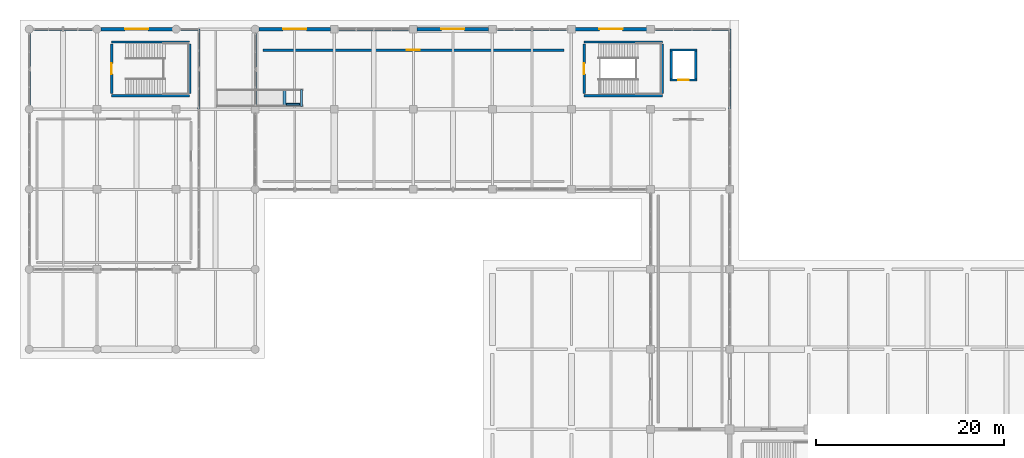
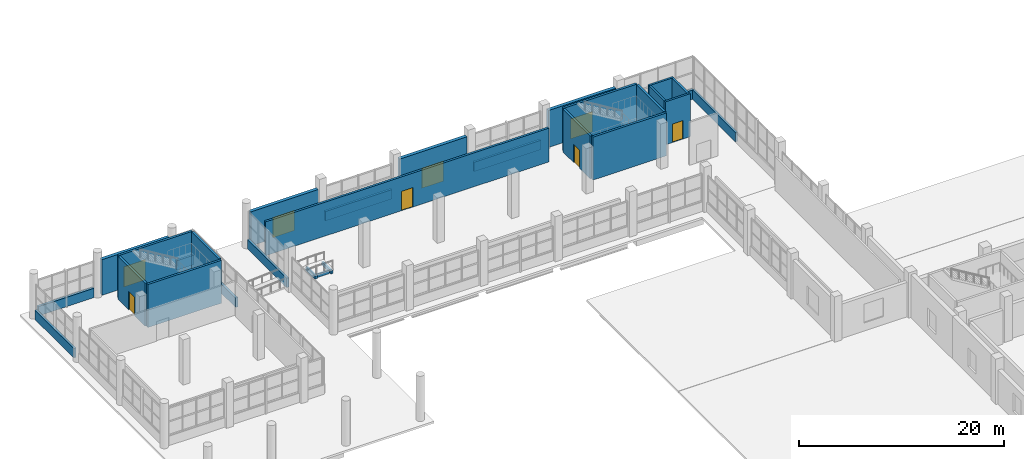
# One storey, part 96 of 107: 29 walls, 8 doors, 8 openings.
"""IFC4 building model written with IfcOpenShell, lengths in metres."""

from ifc_helpers import new_model, si_unit, direction, frame, frame_2d, origin, place, context, subcontext, project, spatial, rectangle, extrude, material, layer, layer_set, type_object, element, fill, save


model = new_model("IFC4")

# Units and contexts
model_context = context("Model", 3, precision=1e-05, world=origin(), true_north=direction((0.0, 1.0)))
body_context = subcontext(model_context, "Body", "Model", "MODEL_VIEW")
ifc_project = project(units=[si_unit("LENGTHUNIT", "METRE"), si_unit("AREAUNIT", "SQUARE_METRE"), si_unit("VOLUMEUNIT", "CUBIC_METRE"), si_unit("PLANEANGLEUNIT", "RADIAN"), si_unit("MASSUNIT", "GRAM", prefix="KILO")], contexts=[model_context])

# Site, building, storey
site_placement = place(None, origin())
site = spatial("IfcSite", under=ifc_project, at=site_placement, CompositionType="ELEMENT")
building_placement = place(site_placement, origin())
building = spatial("IfcBuilding", under=site, at=building_placement, Name="Solvento Point Concert Hall", CompositionType="ELEMENT")
storey_placement = place(building_placement, origin())
storey = spatial("IfcBuildingStorey", under=building, at=storey_placement, Name="L00", CompositionType="ELEMENT", Elevation=0.0)

# Wall, opening, door
ifc_material_1 = material(Name="Acoustic Double-Stud Gypsum Partition")
ifc_layer_1 = layer(ifc_material_1, 0.2451171875)
ifc_layer_set_1 = layer_set([ifc_layer_1], Name="Acoustic Double-Stud Gypsum Partition")
wall_type_1 = type_object("IfcWallType", Name="AcousticPartition_245", PredefinedType="PARTITIONING", material=ifc_layer_set_1)
wall_1_placement = place(storey_placement, frame((24.820068359375, 133.780029296875, 0.0), z_axis=(0.0, 0.0, 1.0), x_axis=(1.0, 0.0, 0.0)))
wall_1 = element("IfcWall", 1, at=wall_1_placement, inside=storey, type_object=wall_type_1, Name="Interior acoustic partition PW-28 L00", PredefinedType="PARTITIONING", context=body_context, shape_type="SweptSolid", body=[
    extrude(rectangle(XDim=31.9599609375, YDim=0.2451171875, at=frame_2d((15.97998046875, 0.0))), origin(), (0.0, 0.0, 1.0), 4.0400390625),
])
opening_1_placement = place(wall_1_placement, frame((15.304931640625, 0.0, 0.0)))
opening_1 = element("IfcOpeningElement", 2, at=opening_1_placement, cuts=wall_1, Name="Opening DR-31", PredefinedType="OPENING", context=body_context, shape_type="SweptSolid", body=[
    extrude(rectangle(XDim=1.35009765625, YDim=2.320068359375, at=frame_2d((0.675048828125, 1.16015625))), frame((0.0, 0.132568359375, 0.0), z_axis=(0.0, -1.0, 0.0), x_axis=(1.0, 0.0, 0.0)), (0.0, 0.0, 1.0), 0.26513671875),
])
ifc_material_2 = material(Name="Brazilian Hardwood Acoustic Door", Category="wood")
door_type_1 = type_object("IfcDoorType", Name="IntDoor_EnsembleSTC55", OperationType="NOTDEFINED", PredefinedType="DOOR", material=ifc_material_2)
door_1_placement = place(opening_1_placement, origin())
door_1 = element("IfcDoor", 3, at=door_1_placement, inside=storey, type_object=door_type_1, Name="Interior door DR-31 L00", OperationType="SINGLE_SWING_LEFT", OverallHeight=2.320068359375, OverallWidth=1.35009765625, PredefinedType="DOOR", context=body_context, shape_type="SweptSolid", body=[
    extrude(rectangle(XDim=1.35009765625, YDim=2.320068359375, at=frame_2d((0.675048828125, 1.16015625))), frame((0.0, 0.02490234375, 0.0), z_axis=(0.0, -1.0, 0.0), x_axis=(1.0, 0.0, 0.0)), (0.0, 0.0, 1.0), 0.050048828125),
])
fill(opening_1, door_1)

# Walls
ifc_material_3 = material(Name="Concrete C40/50", Category="concrete")
ifc_layer_2 = layer(ifc_material_3, 0.300048828125)
ifc_layer_set_2 = layer_set([ifc_layer_2], Name="Concrete C40/50")
wall_type_2 = type_object("IfcWallType", Name="CoreShearWall_300", PredefinedType="SHEAR", material=ifc_layer_set_2)
for number, where, z_axis, x_axis, name in (
    (4, (67.25, 128.949951171875, 0.0), (0.0, 0.0, 1.0), (-1.0, 0.0, 0.0), "Stair core shear wall W-SH1 ST-04 L00"),
    (5, (58.949951171875, 134.64990234375, 0.0), (0.0, 0.0, 1.0), (1.0, 0.0, 0.0), "Stair core shear wall W-SH1 ST-04 L00"),
):
    element("IfcWall", number, at=place(storey_placement, frame(where, z_axis=z_axis, x_axis=x_axis)), inside=storey, type_object=wall_type_2, Name=name, PredefinedType="SHEAR", context=body_context, shape_type="SweptSolid", body=[
        extrude(rectangle(XDim=8.300048828125, YDim=0.25, at=frame_2d((4.14990234375, 0.0))), origin(), (0.0, 0.0, 1.0), 5.1201171875),
    ])

# Wall, opening, door
wall_2_placement = place(storey_placement, frame((58.949951171875, 129.14990234375, 0.0), z_axis=(0.0, 0.0, 1.0), x_axis=(0.0, 1.0, 0.0)))
wall_2 = element("IfcWall", 6, at=wall_2_placement, inside=storey, type_object=wall_type_2, Name="Stair core shear wall W-SH1 ST-04 L00", PredefinedType="SHEAR", context=body_context, shape_type="SweptSolid", body=[
    extrude(rectangle(XDim=5.300048828125, YDim=0.25, at=frame_2d((2.64990234375, 0.0))), origin(), (0.0, 0.0, 1.0), 5.1201171875),
])
opening_2_placement = place(wall_2_placement, frame((2.074951171875, 0.0, 0.0)))
opening_2 = element("IfcOpeningElement", 7, at=opening_2_placement, cuts=wall_2, Name="Opening D-ST1", PredefinedType="OPENING", context=body_context, shape_type="SweptSolid", body=[
    extrude(rectangle(XDim=1.14990234375, YDim=2.179931640625, at=frame_2d((0.574951171875, 1.08984375))), frame((0.0, 0.135009765625, 0.0), z_axis=(0.0, -1.0, 0.0), x_axis=(1.0, 0.0, 0.0)), (0.0, 0.0, 1.0), 0.27001953125),
])
ifc_material_4 = material(Name="Hollow Metal Acoustic Fire Door")
door_type_2 = type_object("IfcDoorType", Name="StairFireDoor_1150", OperationType="NOTDEFINED", PredefinedType="DOOR", material=ifc_material_4)
door_2_placement = place(opening_2_placement, origin())
door_2 = element("IfcDoor", 8, at=door_2_placement, inside=storey, type_object=door_type_2, Name="Protected exit stair door ST-04 L00", OperationType="SINGLE_SWING_RIGHT", OverallHeight=2.179931640625, OverallWidth=1.14990234375, PredefinedType="DOOR", context=body_context, shape_type="SweptSolid", body=[
    extrude(rectangle(XDim=1.14990234375, YDim=2.179931640625, at=frame_2d((0.574951171875, 1.08984375))), frame((0.0, 0.02490234375, 0.0), z_axis=(0.0, -1.0, 0.0), x_axis=(1.0, 0.0, 0.0)), (0.0, 0.0, 1.0), 0.050048828125),
])
fill(opening_2, door_2)

# Walls
wall_3_placement = place(storey_placement, frame((67.25, 134.449951171875, 0.0), z_axis=(0.0, 0.0, 1.0), x_axis=(0.0, -1.0, 0.0)))
element("IfcWall", 9, at=wall_3_placement, inside=storey, type_object=wall_type_2, Name="Stair core shear wall W-SH1 ST-04 L00", PredefinedType="SHEAR", context=body_context, shape_type="SweptSolid", body=[
    extrude(rectangle(XDim=5.300048828125, YDim=0.25, at=frame_2d((2.64990234375, 0.0))), origin(), (0.0, 0.0, 1.0), 5.1201171875),
])
for number, where, z_axis, x_axis, name in (
    (10, (17.050048828125, 128.949951171875, 0.0), (0.0, 0.0, 1.0), (-1.0, 0.0, 0.0), "Stair core shear wall W-SH1 ST-05 L00"),
    (11, (8.75, 134.64990234375, 0.0), (0.0, 0.0, 1.0), (1.0, 0.0, 0.0), "Stair core shear wall W-SH1 ST-05 L00"),
):
    element("IfcWall", number, at=place(storey_placement, frame(where, z_axis=z_axis, x_axis=x_axis)), inside=storey, type_object=wall_type_2, Name=name, PredefinedType="SHEAR", context=body_context, shape_type="SweptSolid", body=[
        extrude(rectangle(XDim=8.300048828125, YDim=0.25, at=frame_2d((4.14990234375, 0.0))), origin(), (0.0, 0.0, 1.0), 5.1201171875),
    ])

# Wall, opening, door
wall_4_placement = place(storey_placement, frame((8.75, 129.14990234375, 0.0), z_axis=(0.0, 0.0, 1.0), x_axis=(0.0, 1.0, 0.0)))
wall_4 = element("IfcWall", 12, at=wall_4_placement, inside=storey, type_object=wall_type_2, Name="Stair core shear wall W-SH1 ST-05 L00", PredefinedType="SHEAR", context=body_context, shape_type="SweptSolid", body=[
    extrude(rectangle(XDim=5.300048828125, YDim=0.25, at=frame_2d((2.64990234375, 0.0))), origin(), (0.0, 0.0, 1.0), 5.1201171875),
])
opening_3_placement = place(wall_4_placement, frame((2.074951171875, 0.0, 0.0)))
opening_3 = element("IfcOpeningElement", 13, at=opening_3_placement, cuts=wall_4, Name="Opening D-ST1", PredefinedType="OPENING", context=body_context, shape_type="SweptSolid", body=[
    extrude(rectangle(XDim=1.14990234375, YDim=2.179931640625, at=frame_2d((0.574951171875, 1.08984375))), frame((0.0, 0.135009765625, 0.0), z_axis=(0.0, -1.0, 0.0), x_axis=(1.0, 0.0, 0.0)), (0.0, 0.0, 1.0), 0.27001953125),
])
door_3_placement = place(opening_3_placement, origin())
door_3 = element("IfcDoor", 14, at=door_3_placement, inside=storey, type_object=door_type_2, Name="Protected exit stair door ST-05 L00", OperationType="SINGLE_SWING_LEFT", OverallHeight=2.179931640625, OverallWidth=1.14990234375, PredefinedType="DOOR", context=body_context, shape_type="SweptSolid", body=[
    extrude(rectangle(XDim=1.14990234375, YDim=2.179931640625, at=frame_2d((0.574951171875, 1.08984375))), frame((0.0, 0.02490234375, 0.0), z_axis=(0.0, -1.0, 0.0), x_axis=(1.0, 0.0, 0.0)), (0.0, 0.0, 1.0), 0.050048828125),
])
fill(opening_3, door_3)

# Wall
wall_5_placement = place(storey_placement, frame((17.050048828125, 134.449951171875, 0.0), z_axis=(0.0, 0.0, 1.0), x_axis=(0.0, -1.0, 0.0)))
element("IfcWall", 15, at=wall_5_placement, inside=storey, type_object=wall_type_2, Name="Stair core shear wall W-SH1 ST-05 L00", PredefinedType="SHEAR", context=body_context, shape_type="SweptSolid", body=[
    extrude(rectangle(XDim=5.300048828125, YDim=0.25, at=frame_2d((2.64990234375, 0.0))), origin(), (0.0, 0.0, 1.0), 5.1201171875),
])

# Wall, opening, door
wall_6_placement = place(storey_placement, frame((68.090087890625, 130.60009765625, 0.0), z_axis=(0.0, 0.0, 1.0), x_axis=(1.0, 0.0, 0.0)))
wall_6 = element("IfcWall", 16, at=wall_6_placement, inside=storey, type_object=wall_type_2, Name="Elevator shaft shear wall W-SH1 LP-03 L00", PredefinedType="SHEAR", context=body_context, shape_type="SweptSolid", body=[
    extrude(rectangle(XDim=2.81982421875, YDim=0.219970703125, at=frame_2d((1.409912109375, 0.0))), origin(), (0.0, 0.0, 1.0), 5.1201171875),
])
opening_4_placement = place(wall_6_placement, frame((0.8349609375, 0.0, 0.0)))
opening_4 = element("IfcOpeningElement", 17, at=opening_4_placement, cuts=wall_6, Name="Opening LD-02", PredefinedType="OPENING", context=body_context, shape_type="SweptSolid", body=[
    extrude(rectangle(XDim=1.14990234375, YDim=2.199951171875, at=frame_2d((0.574951171875, 1.10009765625))), frame((0.0, 0.119873046875, 0.0), z_axis=(0.0, -1.0, 0.0), x_axis=(1.0, 0.0, 0.0)), (0.0, 0.0, 1.0), 0.239990234375),
])
ifc_material_5 = material(Name="Hollow Metal Acoustic Fire Door")
door_type_3 = type_object("IfcDoorType", Name="LiftLandingDoor_Pass", OperationType="SLIDING_TO_LEFT", PredefinedType="DOOR", material=ifc_material_5)
door_4_placement = place(opening_4_placement, origin())
door_4 = element("IfcDoor", 18, at=door_4_placement, inside=storey, type_object=door_type_3, Name="Elevator landing door LP-03 L00", OperationType="SLIDING_TO_LEFT", OverallHeight=2.199951171875, OverallWidth=1.14990234375, PredefinedType="DOOR", context=body_context, shape_type="SweptSolid", body=[
    extrude(rectangle(XDim=1.14990234375, YDim=2.199951171875, at=frame_2d((0.574951171875, 1.10009765625))), frame((0.0, 0.02490234375, 0.0), z_axis=(0.0, -1.0, 0.0), x_axis=(1.0, 0.0, 0.0)), (0.0, 0.0, 1.0), 0.050048828125),
])
fill(opening_4, door_4)

# Walls
wall_7_placement = place(storey_placement, frame((68.090087890625, 133.800048828125, 0.0), z_axis=(0.0, 0.0, 1.0), x_axis=(1.0, 0.0, 0.0)))
element("IfcWall", 19, at=wall_7_placement, inside=storey, type_object=wall_type_2, Name="Elevator shaft shear wall W-SH1 LP-03 L00", PredefinedType="SHEAR", context=body_context, shape_type="SweptSolid", body=[
    extrude(rectangle(XDim=2.81982421875, YDim=0.219970703125, at=frame_2d((1.409912109375, 0.0))), origin(), (0.0, 0.0, 1.0), 5.1201171875),
])
for number, where, z_axis, x_axis, name in (
    (20, (68.199951171875, 130.7099609375, 0.0), (0.0, 0.0, 1.0), (0.0, 1.0, 0.0), "Elevator shaft shear wall W-SH1 LP-03 L00"),
    (21, (70.800048828125, 130.7099609375, 0.0), (0.0, 0.0, 1.0), (0.0, 1.0, 0.0), "Elevator shaft shear wall W-SH1 LP-03 L00"),
):
    element("IfcWall", number, at=place(storey_placement, frame(where, z_axis=z_axis, x_axis=x_axis)), inside=storey, type_object=wall_type_2, Name=name, PredefinedType="SHEAR", context=body_context, shape_type="SweptSolid", body=[
        extrude(rectangle(XDim=2.97998046875, YDim=0.219970703125, at=frame_2d((1.489990234375, 0.0))), origin(), (0.0, 0.0, 1.0), 5.1201171875),
    ])
wall_8_placement = place(storey_placement, frame((27.1201171875, 127.780029296875, 0.0), z_axis=(0.0, 0.0, 1.0), x_axis=(0.0, 1.0, 0.0)))
element("IfcWall", 22, at=wall_8_placement, inside=storey, type_object=wall_type_2, Name="Ramp landing stem wall W-SH1 RMP-H3", PredefinedType="SHEAR", context=body_context, shape_type="SweptSolid", body=[
    extrude(rectangle(XDim=1.840087890625, YDim=0.280029296875, at=frame_2d((0.919921875, 0.0))), origin(), (0.0, 0.0, 1.0), 0.3701171875),
])
wall_9_placement = place(storey_placement, frame((28.909912109375, 127.780029296875, 0.0), z_axis=(0.0, 0.0, 1.0), x_axis=(0.0, 1.0, 0.0)))
element("IfcWall", 23, at=wall_9_placement, inside=storey, type_object=wall_type_2, Name="Ramp landing stem wall W-SH1 RMP-H3", PredefinedType="SHEAR", context=body_context, shape_type="SweptSolid", body=[
    extrude(rectangle(XDim=1.840087890625, YDim=0.219970703125, at=frame_2d((0.919921875, 0.0))), origin(), (0.0, 0.0, 1.0), 0.3701171875),
])
wall_10_placement = place(storey_placement, frame((27.300048828125, 128.02001953125, 0.0), z_axis=(0.0, 0.0, 1.0), x_axis=(1.0, 0.0, 0.0)))
element("IfcWall", 24, at=wall_10_placement, inside=storey, type_object=wall_type_2, Name="Ramp landing stem wall W-SH1 RMP-H3", PredefinedType="SHEAR", context=body_context, shape_type="SweptSolid", body=[
    extrude(rectangle(XDim=1.429931640625, YDim=0.199951171875, at=frame_2d((0.71484375, 0.0))), origin(), (0.0, 0.0, 1.0), 0.3701171875),
])

# Wall, opening, door
ifc_material_6 = material(Name="Concrete C40/50", Category="concrete")
ifc_layer_3 = layer(ifc_material_6, 0.3701171875)
ifc_layer_set_3 = layer_set([ifc_layer_3], Name="Concrete C40/50")
wall_type_3 = type_object("IfcWallType", Name="ExtWall_V4_Reh_370", PredefinedType="SOLIDWALL", material=ifc_layer_set_3)
wall_11_placement = place(storey_placement, frame((24.405029296875, 136.0, 0.0), z_axis=(0.0, 0.0, 1.0), x_axis=(1.0, 0.0, 0.0)))
wall_11 = element("IfcWall", 25, at=wall_11_placement, inside=storey, type_object=wall_type_3, Name="Exterior architectural concrete wall EW-85 L00", PredefinedType="SOLIDWALL", context=body_context, shape_type="SweptSolid", body=[
    extrude(rectangle(XDim=7.60498046875, YDim=0.3701171875, at=frame_2d((3.802490234375, 0.0))), origin(), (0.0, 0.0, 1.0), 4.077880859375),
])
opening_5_placement = place(wall_11_placement, frame((2.577392578125, 0.0, 0.0)))
opening_5 = element("IfcOpeningElement", 26, at=opening_5_placement, cuts=wall_11, Name="Opening ED-06", PredefinedType="OPENING", context=body_context, shape_type="SweptSolid", body=[
    extrude(rectangle(XDim=2.449951171875, YDim=2.419921875, at=frame_2d((1.22509765625, 1.2099609375))), frame((0.0, 0.195068359375, 0.0), z_axis=(0.0, -1.0, 0.0), x_axis=(1.0, 0.0, 0.0)), (0.0, 0.0, 1.0), 0.39013671875),
])
ifc_material_7 = material(Name="Anodized Bronze Aluminium", Category="aluminium")
door_type_4 = type_object("IfcDoorType", Name="PedestrianExitDoor_ED-06", OperationType="DOUBLE_DOOR_SINGLE_SWING", PredefinedType="DOOR", material=ifc_material_7)
door_5_placement = place(opening_5_placement, origin())
door_5 = element("IfcDoor", 27, at=door_5_placement, inside=storey, type_object=door_type_4, Name="Perimeter stair passageway final exit discharge double door ED-06", OperationType="DOUBLE_DOOR_SINGLE_SWING", OverallHeight=2.419921875, OverallWidth=2.449951171875, PredefinedType="DOOR", context=body_context, shape_type="SweptSolid", body=[
    extrude(rectangle(XDim=2.449951171875, YDim=2.419921875, at=frame_2d((1.22509765625, 1.2099609375))), frame((0.0, 0.02490234375, 0.0), z_axis=(0.0, -1.0, 0.0), x_axis=(1.0, 0.0, 0.0)), (0.0, 0.0, 1.0), 0.050048828125),
])
fill(opening_5, door_5)

wall_12_placement = place(storey_placement, frame((41.18994140625, 136.0, 0.0), z_axis=(0.0, 0.0, 1.0), x_axis=(1.0, 0.0, 0.0)))
wall_12 = element("IfcWall", 28, at=wall_12_placement, inside=storey, type_object=wall_type_3, Name="Exterior architectural concrete wall EW-85 L00", PredefinedType="SOLIDWALL", context=body_context, shape_type="SweptSolid", body=[
    extrude(rectangle(XDim=7.6201171875, YDim=0.3701171875, at=frame_2d((3.81005859375, 0.0))), origin(), (0.0, 0.0, 1.0), 4.49609375),
])
opening_6_placement = place(wall_12_placement, frame((2.5849609375, 0.0, 0.0)))
opening_6 = element("IfcOpeningElement", 29, at=opening_6_placement, cuts=wall_12, Name="Opening ED-06", PredefinedType="OPENING", context=body_context, shape_type="SweptSolid", body=[
    extrude(rectangle(XDim=2.449951171875, YDim=2.419921875, at=frame_2d((1.22509765625, 1.2099609375))), frame((0.0, 0.195068359375, 0.0), z_axis=(0.0, -1.0, 0.0), x_axis=(1.0, 0.0, 0.0)), (0.0, 0.0, 1.0), 0.39013671875),
])
door_6_placement = place(opening_6_placement, origin())
door_6 = element("IfcDoor", 30, at=door_6_placement, inside=storey, type_object=door_type_4, Name="Perimeter stair passageway final exit discharge double door ED-06", OperationType="DOUBLE_DOOR_SINGLE_SWING", OverallHeight=2.419921875, OverallWidth=2.449951171875, PredefinedType="DOOR", context=body_context, shape_type="SweptSolid", body=[
    extrude(rectangle(XDim=2.449951171875, YDim=2.419921875, at=frame_2d((1.22509765625, 1.2099609375))), frame((0.0, 0.02490234375, 0.0), z_axis=(0.0, -1.0, 0.0), x_axis=(1.0, 0.0, 0.0)), (0.0, 0.0, 1.0), 0.050048828125),
])
fill(opening_6, door_6)

wall_13_placement = place(storey_placement, frame((57.989990234375, 136.0, 0.0), z_axis=(0.0, 0.0, 1.0), x_axis=(1.0, 0.0, 0.0)))
wall_13 = element("IfcWall", 31, at=wall_13_placement, inside=storey, type_object=wall_type_3, Name="Exterior architectural concrete wall EW-85 L00", PredefinedType="SOLIDWALL", context=body_context, shape_type="SweptSolid", body=[
    extrude(rectangle(XDim=7.6201171875, YDim=0.3701171875, at=frame_2d((3.81005859375, 0.0))), origin(), (0.0, 0.0, 1.0), 4.410888671875),
])
opening_7_placement = place(wall_13_placement, frame((2.5849609375, 0.0, 0.0)))
opening_7 = element("IfcOpeningElement", 32, at=opening_7_placement, cuts=wall_13, Name="Opening ED-06", PredefinedType="OPENING", context=body_context, shape_type="SweptSolid", body=[
    extrude(rectangle(XDim=2.449951171875, YDim=2.419921875, at=frame_2d((1.22509765625, 1.2099609375))), frame((0.0, 0.195068359375, 0.0), z_axis=(0.0, -1.0, 0.0), x_axis=(1.0, 0.0, 0.0)), (0.0, 0.0, 1.0), 0.39013671875),
])
door_7_placement = place(opening_7_placement, origin())
door_7 = element("IfcDoor", 33, at=door_7_placement, inside=storey, type_object=door_type_4, Name="Perimeter stair passageway final exit discharge double door ED-06", OperationType="DOUBLE_DOOR_SINGLE_SWING", OverallHeight=2.419921875, OverallWidth=2.449951171875, PredefinedType="DOOR", context=body_context, shape_type="SweptSolid", body=[
    extrude(rectangle(XDim=2.449951171875, YDim=2.419921875, at=frame_2d((1.22509765625, 1.2099609375))), frame((0.0, 0.02490234375, 0.0), z_axis=(0.0, -1.0, 0.0), x_axis=(1.0, 0.0, 0.0)), (0.0, 0.0, 1.0), 0.050048828125),
])
fill(opening_7, door_7)

wall_14_placement = place(storey_placement, frame((7.60498046875, 136.0, 0.0), z_axis=(0.0, 0.0, 1.0), x_axis=(1.0, 0.0, 0.0)))
wall_14 = element("IfcWall", 34, at=wall_14_placement, inside=storey, type_object=wall_type_3, Name="Exterior architectural concrete wall EW-85 L00", PredefinedType="SOLIDWALL", context=body_context, shape_type="SweptSolid", body=[
    extrude(rectangle(XDim=7.590087890625, YDim=0.3701171875, at=frame_2d((3.794921875, 0.0))), origin(), (0.0, 0.0, 1.0), 4.2451171875),
])
opening_8_placement = place(wall_14_placement, frame((2.570068359375, 0.0, 0.0)))
opening_8 = element("IfcOpeningElement", 35, at=opening_8_placement, cuts=wall_14, Name="Opening ED-06", PredefinedType="OPENING", context=body_context, shape_type="SweptSolid", body=[
    extrude(rectangle(XDim=2.449951171875, YDim=2.419921875, at=frame_2d((1.22509765625, 1.2099609375))), frame((0.0, 0.195068359375, 0.0), z_axis=(0.0, -1.0, 0.0), x_axis=(1.0, 0.0, 0.0)), (0.0, 0.0, 1.0), 0.39013671875),
])
door_8_placement = place(opening_8_placement, origin())
door_8 = element("IfcDoor", 36, at=door_8_placement, inside=storey, type_object=door_type_4, Name="Perimeter stair passageway final exit discharge double door ED-06", OperationType="DOUBLE_DOOR_SINGLE_SWING", OverallHeight=2.419921875, OverallWidth=2.449951171875, PredefinedType="DOOR", context=body_context, shape_type="SweptSolid", body=[
    extrude(rectangle(XDim=2.449951171875, YDim=2.419921875, at=frame_2d((1.22509765625, 1.2099609375))), frame((0.0, 0.02490234375, 0.0), z_axis=(0.0, -1.0, 0.0), x_axis=(1.0, 0.0, 0.0)), (0.0, 0.0, 1.0), 0.050048828125),
])
fill(opening_8, door_8)

# Walls
ifc_material_8 = material(Name="Concrete C40/50", Category="concrete")
ifc_layer_4 = layer(ifc_material_8, 0.260009765625)
ifc_layer_set_4 = layer_set([ifc_layer_4], Name="Concrete C40/50")
wall_type_4 = type_object("IfcWallType", Name="Parapet_Ring_260", PredefinedType="PARAPET", material=ifc_layer_set_4)
wall_15_placement = place(storey_placement, frame((24.0, 127.929931640625, 0.0), z_axis=(0.0, 0.0, 1.0), x_axis=(0.0, 1.0, 0.0)))
element("IfcWall", 37, at=wall_15_placement, inside=storey, type_object=wall_type_4, Name="Sliding elliptical white concrete ring spandrel PR-01 L00", PredefinedType="PARAPET", context=body_context, shape_type="SweptSolid", body=[
    extrude(rectangle(XDim=7.625, YDim=0.260009765625, at=frame_2d((3.8125, 0.0))), origin(), (0.0, 0.0, 1.0), 1.1201171875),
])
for number, where, z_axis, x_axis, name in (
    (38, (32.830078125, 136.0, 0.0), (0.0, 0.0, 1.0), (1.0, 0.0, 0.0), "Sliding elliptical white concrete ring spandrel PR-01 L00"),
    (39, (49.6298828125, 136.0, 0.0), (0.0, 0.0, 1.0), (1.0, 0.0, 0.0), "Sliding elliptical white concrete ring spandrel PR-01 L00"),
):
    element("IfcWall", number, at=place(storey_placement, frame(where, z_axis=z_axis, x_axis=x_axis)), inside=storey, type_object=wall_type_4, Name=name, PredefinedType="PARAPET", context=body_context, shape_type="SweptSolid", body=[
        extrude(rectangle(XDim=7.5400390625, YDim=0.260009765625, at=frame_2d((3.77001953125, 0.0))), origin(), (0.0, 0.0, 1.0), 1.1201171875),
    ])
wall_16_placement = place(storey_placement, frame((66.429931640625, 136.0, 0.0), z_axis=(0.0, 0.0, 1.0), x_axis=(1.0, 0.0, 0.0)))
element("IfcWall", 40, at=wall_16_placement, inside=storey, type_object=wall_type_4, Name="Sliding elliptical white concrete ring spandrel PR-01 L00", PredefinedType="PARAPET", context=body_context, shape_type="SweptSolid", body=[
    extrude(rectangle(XDim=7.969970703125, YDim=0.260009765625, at=frame_2d((3.98486328125, 0.0))), origin(), (0.0, 0.0, 1.0), 1.1201171875),
])
wall_17_placement = place(storey_placement, frame((74.39990234375, 136.0, 0.0), z_axis=(0.0, 0.0, 1.0), x_axis=(0.0, -1.0, 0.0)))
element("IfcWall", 41, at=wall_17_placement, inside=storey, type_object=wall_type_4, Name="Sliding elliptical white concrete ring spandrel PR-01 L00", PredefinedType="PARAPET", context=body_context, shape_type="SweptSolid", body=[
    extrude(rectangle(XDim=8.5, YDim=0.260009765625, at=frame_2d((4.25, 0.0))), origin(), (0.0, 0.0, 1.0), 1.1201171875),
])
wall_18_placement = place(storey_placement, frame((0.445068359375, 136.0, 0.0), z_axis=(0.0, 0.0, 1.0), x_axis=(1.0, 0.0, 0.0)))
element("IfcWall", 42, at=wall_18_placement, inside=storey, type_object=wall_type_4, Name="Sliding elliptical white concrete ring spandrel PR-01 L00", PredefinedType="PARAPET", context=body_context, shape_type="SweptSolid", body=[
    extrude(rectangle(XDim=6.309814453125, YDim=0.260009765625, at=frame_2d((3.15478515625, 0.0))), origin(), (0.0, 0.0, 1.0), 1.1201171875),
])
wall_19_placement = place(storey_placement, frame((16.044921875, 136.0, 0.0), z_axis=(0.0, 0.0, 1.0), x_axis=(1.0, 0.0, 0.0)))
element("IfcWall", 43, at=wall_19_placement, inside=storey, type_object=wall_type_4, Name="Sliding elliptical white concrete ring spandrel PR-01 L00", PredefinedType="PARAPET", context=body_context, shape_type="SweptSolid", body=[
    extrude(rectangle(XDim=1.955078125, YDim=0.260009765625, at=frame_2d((0.9775390625, 0.0))), origin(), (0.0, 0.0, 1.0), 1.1201171875),
])
wall_20_placement = place(storey_placement, frame((18.0, 136.0, 0.0), z_axis=(0.0, 0.0, 1.0), x_axis=(0.0, -1.0, 0.0)))
element("IfcWall", 44, at=wall_20_placement, inside=storey, type_object=wall_type_4, Name="Sliding elliptical white concrete ring spandrel PR-01 L00", PredefinedType="PARAPET", context=body_context, shape_type="SweptSolid", body=[
    extrude(rectangle(XDim=8.5, YDim=0.260009765625, at=frame_2d((4.25, 0.0))), origin(), (0.0, 0.0, 1.0), 1.1201171875),
])
wall_21_placement = place(storey_placement, frame((0.0, 127.945068359375, 0.0), z_axis=(0.0, 0.0, 1.0), x_axis=(0.0, 1.0, 0.0)))
element("IfcWall", 45, at=wall_21_placement, inside=storey, type_object=wall_type_4, Name="Sliding elliptical white concrete ring spandrel PR-01 L00", PredefinedType="PARAPET", context=body_context, shape_type="SweptSolid", body=[
    extrude(rectangle(XDim=7.60986328125, YDim=0.260009765625, at=frame_2d((3.804931640625, 0.0))), origin(), (0.0, 0.0, 1.0), 1.1201171875),
])

save(model, "model.ifc")
